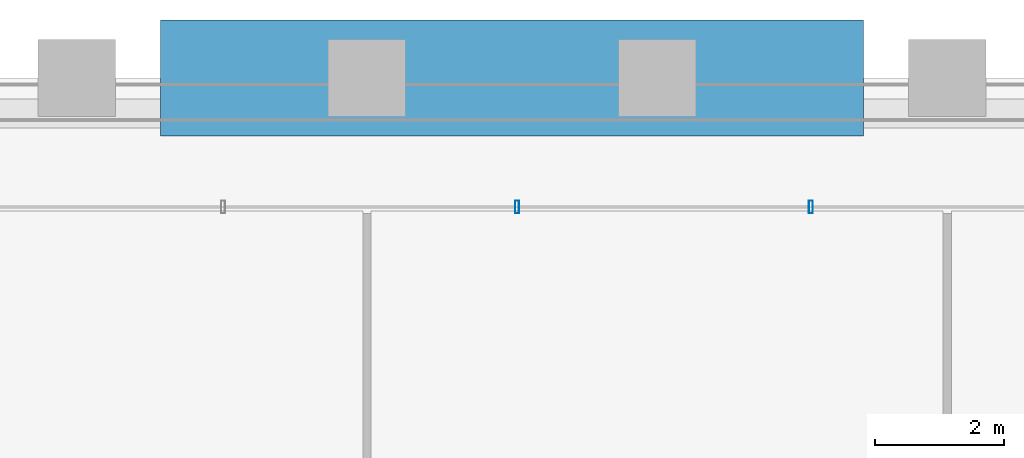
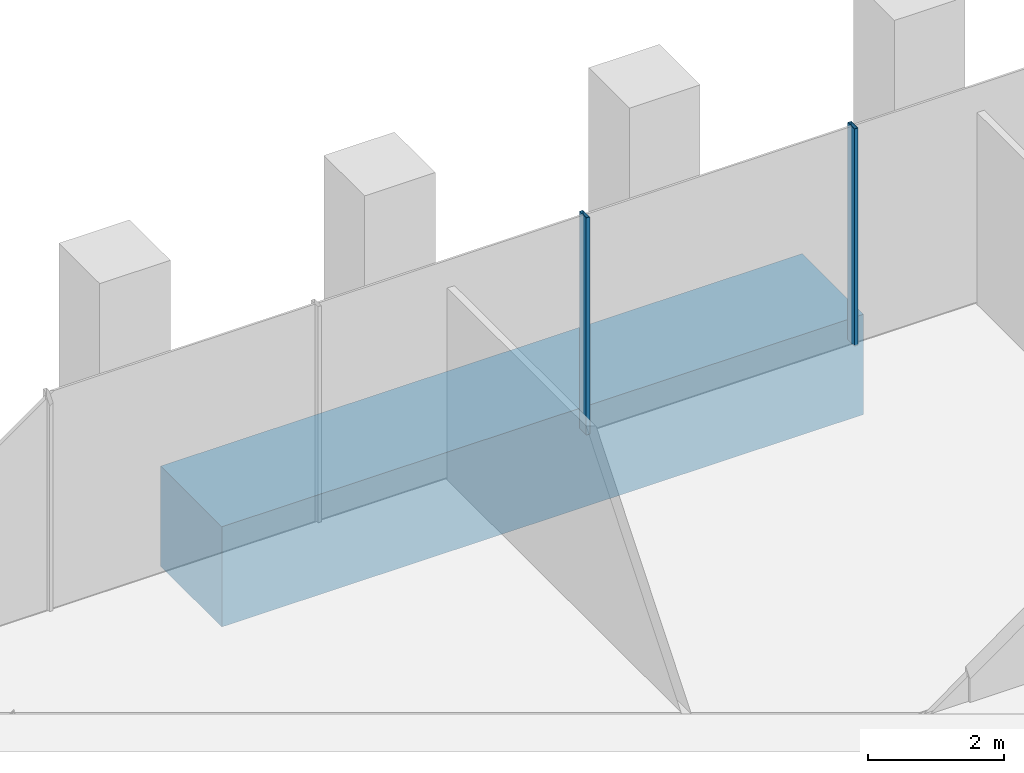
# One storey, part 11 of 32: 2 members, 1 beam, 1 element without a shape of its own.
"""IFC4 building model written with IfcOpenShell, lengths in metres."""

import ifcopenshell
import ifcopenshell.guid

model = None  # the IFC model being written
_history = None  # IfcOwnerHistory: only IFC2X3 demands one
_inside = {}  # id of a spatial element -> (the spatial element, [elements in it])
_under = {}  # id of a project, library or spatial element -> (it, [spatial elements below it])
_declared = {}  # id of a project -> (the project, [libraries it declares])
_typed = {}  # id of a type object -> (the type object, [elements of that type])
_made_of = {}  # id of a material, layer set ... -> (it, [elements and type objects made of it])


def new_model(schema):
    """Start an empty IFC model of exactly this schema.

    Asked for "IFC4X3", IfcOpenShell would pick the latest addendum, in which some entities
    have other attributes; the version numbers below select the first issue.
    IFC2X3 requires an IfcOwnerHistory on every rooted entity: one is made here for all.
    """
    global model, _history
    if schema == "IFC4X3":
        model = ifcopenshell.file(schema_version=(4, 3, 0, 0))
    else:
        model = ifcopenshell.file(schema=schema)
    _inside.clear()
    _under.clear()
    _declared.clear()
    _typed.clear()
    _made_of.clear()
    _history = None
    if model.schema == "IFC2X3":
        org = make("IfcOrganization", Name="unknown")
        user = make(
            "IfcPersonAndOrganization",
            ThePerson=make("IfcPerson", FamilyName="unknown"),
            TheOrganization=org,
        )
        app = make(
            "IfcApplication",
            ApplicationDeveloper=org,
            Version="unknown",
            ApplicationFullName="unknown",
            ApplicationIdentifier="unknown",
        )
        _history = make(
            "IfcOwnerHistory",
            OwningUser=user,
            OwningApplication=app,
            ChangeAction="ADDED",
            CreationDate=0,
        )
    return model


def make(cls, **values):
    """One entity of the class cls with the attributes given. An attribute that is None is left unset."""
    return model.create_entity(
        cls, **{name: value for name, value in values.items() if value is not None}
    )


def rooted(cls, **values):
    """An entity with a GlobalId (a new one), such as an element, a storey or a relation."""
    return make(cls, GlobalId=ifcopenshell.guid.new(), OwnerHistory=_history, **values)


def si_unit(unit_type, name, prefix=None):
    """IfcSIUnit, for example si_unit("LENGTHUNIT", "METRE", prefix="MILLI")."""
    return make("IfcSIUnit", UnitType=unit_type, Prefix=prefix, Name=name)


def assignment(units):
    """IfcUnitAssignment: the units of a project."""
    return None if units is None else make("IfcUnitAssignment", Units=units)


def point(xyz):
    """IfcCartesianPoint."""
    return None if xyz is None else make("IfcCartesianPoint", Coordinates=xyz)


def direction(xyz):
    """IfcDirection."""
    return None if xyz is None else make("IfcDirection", DirectionRatios=xyz)


def frame(location, z_axis=None, x_axis=None):
    """IfcAxis2Placement3D, a coordinate frame: its origin and axes. An axis left out is left unset."""
    return make(
        "IfcAxis2Placement3D",
        Location=point(location),
        Axis=direction(z_axis),
        RefDirection=direction(x_axis),
    )


def frame_2d(location, x_axis=None):
    """IfcAxis2Placement2D, a coordinate frame in the plane: its origin and x axis."""
    return make(
        "IfcAxis2Placement2D", Location=point(location), RefDirection=direction(x_axis)
    )


def origin():
    """The frame at (0, 0, 0) with its axes left unset."""
    return frame((0.0, 0.0, 0.0))


def origin_2d():
    """The frame at (0, 0) in the plane with its x axis left unset."""
    return frame_2d((0.0, 0.0))


def place(relative_to, where):
    """IfcLocalPlacement: puts the frame where relative to a parent placement (None: the world)."""
    return make(
        "IfcLocalPlacement", PlacementRelTo=relative_to, RelativePlacement=where
    )


def context(
    kind, dimensions, precision=None, world=None, true_north=None, identifier=None
):
    """IfcGeometricRepresentationContext, for example the 3D "Model" context."""
    return make(
        "IfcGeometricRepresentationContext",
        ContextIdentifier=identifier,
        ContextType=kind,
        CoordinateSpaceDimension=dimensions,
        Precision=precision,
        WorldCoordinateSystem=world,
        TrueNorth=true_north,
    )


def subcontext(parent, identifier, kind, view, scale=None):
    """IfcGeometricRepresentationSubContext, for example "Body" below "Model"."""
    return make(
        "IfcGeometricRepresentationSubContext",
        ContextIdentifier=identifier,
        ContextType=kind,
        ParentContext=parent,
        TargetScale=scale,
        TargetView=view,
    )


def project(units=None, contexts=None):
    """IfcProject with its units and contexts."""
    return rooted(
        "IfcProject",
        Name="project",
        RepresentationContexts=contexts,
        UnitsInContext=assignment(units),
    )


def spatial(cls, under=None, at=None, **own):
    """A site, building, storey or space (cls), placed at a placement, below another one or the project."""
    s = rooted(cls, ObjectPlacement=at, **own)
    if under is not None:
        _under.setdefault(under.id(), (under, []))[1].append(s)
    return s


def profile(cls, at=None, kind="AREA", **sizes):
    """A parametric profile (cls). Its sizes go by their IFC names, for example OverallWidth=200.0."""
    return make(cls, ProfileType=kind, Position=at, **sizes)


def rectangle(**sizes):
    """IfcRectangleProfileDef."""
    return profile("IfcRectangleProfileDef", **sizes)


def hollow_rectangle(**sizes):
    """IfcRectangleHollowProfileDef."""
    return profile("IfcRectangleHollowProfileDef", **sizes)


def extrude(swept, where, along, depth):
    """IfcExtrudedAreaSolid: the profile swept, set in the frame where, extruded along a direction by depth."""
    return make(
        "IfcExtrudedAreaSolid",
        SweptArea=swept,
        Position=where,
        ExtrudedDirection=direction(along),
        Depth=depth,
    )


def shape(context_of_items, identifier, shape_type, items):
    """IfcShapeRepresentation: the items that make up one representation, for example the "Body"."""
    return make(
        "IfcShapeRepresentation",
        ContextOfItems=context_of_items,
        RepresentationIdentifier=identifier,
        RepresentationType=shape_type,
        Items=items,
    )


def material(Name=None, Category=None):
    """IfcMaterial."""
    return make("IfcMaterial", Name=Name, Category=Category)


def material_profile(
    of_material, cross_section, Name=None, Category=None, Priority=None
):
    """IfcMaterialProfile: a cross section and its material."""
    return make(
        "IfcMaterialProfile",
        Name=Name,
        Material=of_material,
        Profile=cross_section,
        Priority=Priority,
        Category=Category,
    )


def profile_set(profiles, Name=None, composite=None):
    """IfcMaterialProfileSet."""
    return make(
        "IfcMaterialProfileSet",
        Name=Name,
        MaterialProfiles=profiles,
        CompositeProfile=composite,
    )


def made_of(thing, what):
    """Note that an element or type object is made of a material, layer set ...; save() writes the relation."""
    if what is not None:
        _made_of.setdefault(what.id(), (what, []))[1].append(thing)
    return thing


def type_object(cls, material=None, **own):
    """A type object (cls), such as IfcWallType, which elements share."""
    return made_of(rooted(cls, **own), material)


def element(
    cls,
    number,
    at=None,
    inside=None,
    cuts=None,
    type_object=None,
    material=None,
    context=None,
    identifier="Body",
    shape_type=None,
    held_by="IfcProductDefinitionShape",
    body=None,
    shapes=None,
    **own,
):
    """One element of the class cls, such as IfcWall. Its Tag is "e" and its number.

    at: its placement. inside: the storey or other place that contains it. cuts: it is an
    opening in that element (IfcRelVoidsElement). A single representation is given by context,
    identifier, shape_type and body (its items); several are given by shapes. held_by: the class
    of the entity that holds the representations. save() writes the other relations.
    """
    e = rooted(cls, Tag="e%d" % number, ObjectPlacement=at, **own)
    if body is not None:
        shapes = [shape(context, identifier, shape_type, body)]
    if shapes is not None:
        e.Representation = make(held_by, Representations=shapes)
    if inside is not None:
        _inside.setdefault(inside.id(), (inside, []))[1].append(e)
    if cuts is not None:
        rooted(
            "IfcRelVoidsElement", RelatingBuildingElement=cuts, RelatedOpeningElement=e
        )
    if type_object is not None:
        _typed.setdefault(type_object.id(), (type_object, []))[1].append(e)
    return made_of(e, material)


def aggregate(whole, parts):
    """IfcRelAggregates: a whole, such as a stair, and the parts it consists of."""
    return rooted("IfcRelAggregates", RelatingObject=whole, RelatedObjects=parts)


def save(model, path):
    """Write the relations noted so far, then the file.

    IfcRelAggregates (storeys below a building ...), IfcRelContainedInSpatialStructure (elements
    in a storey), IfcRelDefinesByType, IfcRelAssociatesMaterial and IfcRelDeclares: one each for
    every whole, place, type object, material and project.
    """
    for whole, parts in _under.values():
        aggregate(whole, parts)
    for where, things in _inside.values():
        rooted(
            "IfcRelContainedInSpatialStructure",
            RelatedElements=things,
            RelatingStructure=where,
        )
    for kind, things in _typed.values():
        rooted("IfcRelDefinesByType", RelatedObjects=things, RelatingType=kind)
    for what, things in _made_of.values():
        rooted("IfcRelAssociatesMaterial", RelatedObjects=things, RelatingMaterial=what)
    for by, libraries in _declared.values():
        rooted("IfcRelDeclares", RelatingContext=by, RelatedDefinitions=libraries)
    model.write(path)


model = new_model("IFC4")

# Units and contexts
model_context = context("Model", 3, precision=1e-05, world=origin(), true_north=direction((0.0, 1.0)))
body_context = subcontext(model_context, "Body", "Model", "MODEL_VIEW")
ifc_project = project(units=[si_unit("LENGTHUNIT", "METRE"), si_unit("AREAUNIT", "SQUARE_METRE"), si_unit("VOLUMEUNIT", "CUBIC_METRE"), si_unit("PLANEANGLEUNIT", "RADIAN"), si_unit("MASSUNIT", "GRAM", prefix="KILO")], contexts=[model_context])

# Site, building, storey
site_placement = place(None, origin())
site = spatial("IfcSite", under=ifc_project, at=site_placement, CompositionType="ELEMENT")
building_placement = place(site_placement, origin())
building = spatial("IfcBuilding", under=site, at=building_placement, Name="Altepetl Exchange Towers", CompositionType="ELEMENT")
storey_placement = place(building_placement, frame((0.0, 0.0, 21.0)))
storey = spatial("IfcBuildingStorey", under=building, at=storey_placement, Name="L04", CompositionType="ELEMENT", Elevation=21.0)

# Curtain wall, members
ifc_material_1 = material(Name="Aluminium 6063-T6 glazing", Category="aluminium")
curtain_wall_type = type_object("IfcCurtainWallType", Name="Trading floor glazing system", PredefinedType="NOTDEFINED", material=ifc_material_1)
curtain_wall_placement = place(storey_placement, origin())
curtain_wall = element("IfcCurtainWall", 1, at=curtain_wall_placement, inside=storey, type_object=curtain_wall_type, Name="CW2 run", PredefinedType="NOTDEFINED")
ifc_material_2 = material(Name="Aluminium 6063-T6", Category="aluminium")
ifc_material_profile_1 = material_profile(ifc_material_2, hollow_rectangle(XDim=0.06005859375, YDim=0.199951171875, WallThickness=0.0029296875, at=origin_2d()), Name="Mullion 60x200 aluminium")
ifc_profile_set_1 = profile_set([ifc_material_profile_1], Name="Aluminium 6063-T6")
member_type = type_object("IfcMemberType", Name="Mullion 60x200 aluminium", PredefinedType="MULLION", material=ifc_profile_set_1)
member_1_placement = place(storey_placement, frame((56.3857421875, 70.0, 0.0), z_axis=(0.0, 0.0, 1.0), x_axis=(-1.0, 0.0, 0.0)))
member_1 = element("IfcMember", 2, at=member_1_placement, type_object=member_type, Name="MU2 mullion", PredefinedType="MULLION", context=body_context, shape_type="SweptSolid", body=[
    extrude(hollow_rectangle(XDim=0.06005859375, YDim=0.199951171875, WallThickness=0.0029296875, at=origin_2d()), origin(), (0.0, 0.0, 1.0), 3.89990234375),
])
member_2_placement = place(storey_placement, frame((51.82861328125, 70.0, 0.0), z_axis=(0.0, 0.0, 1.0), x_axis=(-1.0, 0.0, 0.0)))
member_2 = element("IfcMember", 3, at=member_2_placement, type_object=member_type, Name="MU2 mullion", PredefinedType="MULLION", context=body_context, shape_type="SweptSolid", body=[
    extrude(hollow_rectangle(XDim=0.06005859375, YDim=0.199951171875, WallThickness=0.0029296875, at=origin_2d()), origin(), (0.0, 0.0, 1.0), 3.89990234375),
])
aggregate(curtain_wall, [member_1, member_2])

# Beam
ifc_material_3 = material(Name="Concrete C60/75", Category="concrete")
ifc_material_profile_2 = material_profile(ifc_material_3, rectangle(XDim=1.800048828125, YDim=1.800048828125, at=origin_2d()), Name="1800 x 1800")
ifc_profile_set_2 = profile_set([ifc_material_profile_2], Name="Concrete C60/75")
beam_type = type_object("IfcBeamType", Name="Transfer girder 1800x1800", PredefinedType="BEAM", material=ifc_profile_set_2)
beam_placement = place(storey_placement, frame((46.300048828125, 72.0, -1.35009765625), z_axis=(1.0, 0.0, 0.0), x_axis=(0.0, 1.0, 0.0)))
element("IfcBeam", 4, at=beam_placement, inside=storey, type_object=beam_type, Name="bm:A:L04:tg07", PredefinedType="BEAM", context=body_context, shape_type="SweptSolid", body=[
    extrude(rectangle(XDim=1.800048828125, YDim=1.800048828125, at=origin_2d()), origin(), (0.0, 0.0, 1.0), 10.89990234375),
])

save(model, "model.ifc")
